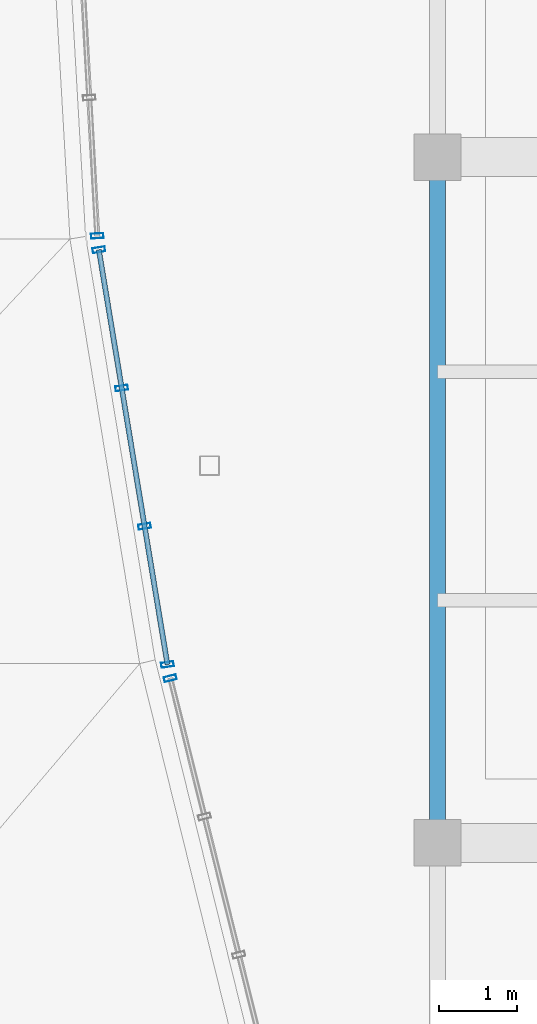
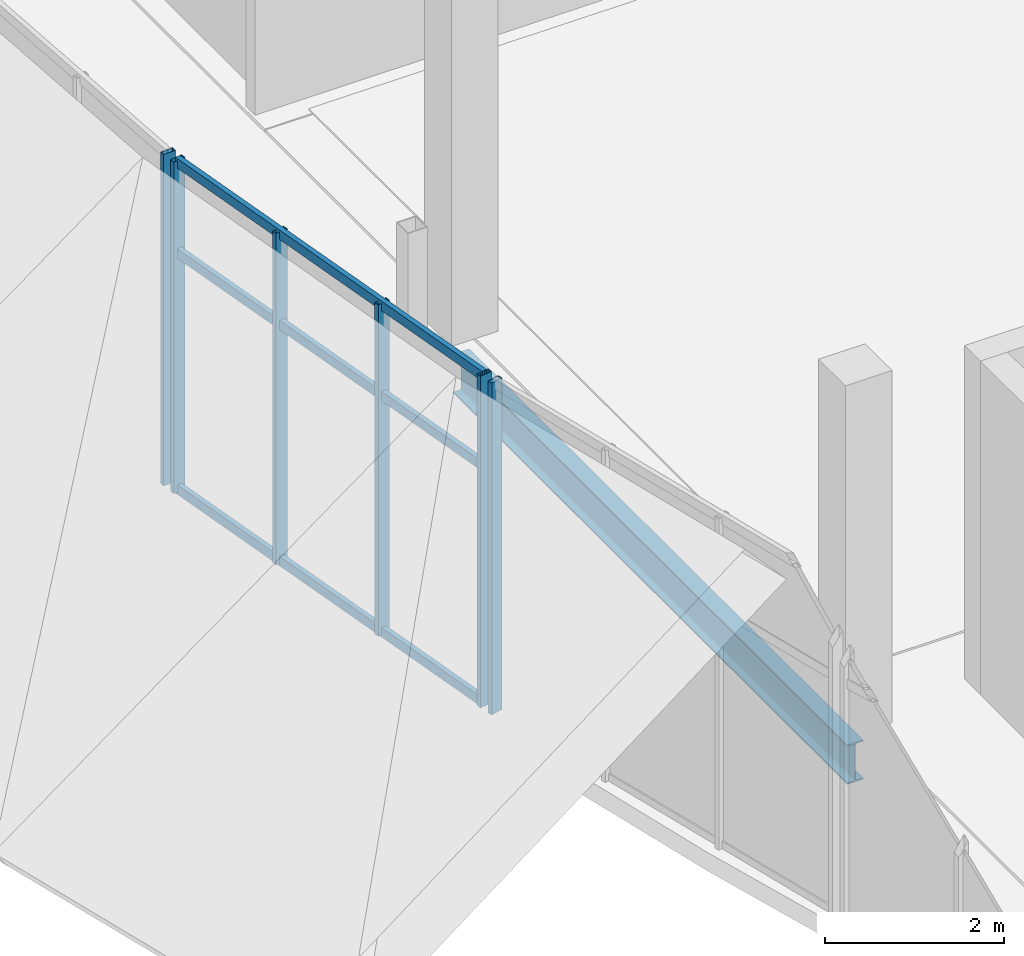
# One storey, part 19 of 116: 9 members, 1 beam, 3 elements without a shape of their own.
"""IFC4 building model written with IfcOpenShell, lengths in metres."""

import ifcopenshell
import ifcopenshell.guid

model = None  # the IFC model being written
_history = None  # IfcOwnerHistory: only IFC2X3 demands one
_inside = {}  # id of a spatial element -> (the spatial element, [elements in it])
_under = {}  # id of a project, library or spatial element -> (it, [spatial elements below it])
_declared = {}  # id of a project -> (the project, [libraries it declares])
_typed = {}  # id of a type object -> (the type object, [elements of that type])
_made_of = {}  # id of a material, layer set ... -> (it, [elements and type objects made of it])


def new_model(schema):
    """Start an empty IFC model of exactly this schema.

    Asked for "IFC4X3", IfcOpenShell would pick the latest addendum, in which some entities
    have other attributes; the version numbers below select the first issue.
    IFC2X3 requires an IfcOwnerHistory on every rooted entity: one is made here for all.
    """
    global model, _history
    if schema == "IFC4X3":
        model = ifcopenshell.file(schema_version=(4, 3, 0, 0))
    else:
        model = ifcopenshell.file(schema=schema)
    _inside.clear()
    _under.clear()
    _declared.clear()
    _typed.clear()
    _made_of.clear()
    _history = None
    if model.schema == "IFC2X3":
        org = make("IfcOrganization", Name="unknown")
        user = make(
            "IfcPersonAndOrganization",
            ThePerson=make("IfcPerson", FamilyName="unknown"),
            TheOrganization=org,
        )
        app = make(
            "IfcApplication",
            ApplicationDeveloper=org,
            Version="unknown",
            ApplicationFullName="unknown",
            ApplicationIdentifier="unknown",
        )
        _history = make(
            "IfcOwnerHistory",
            OwningUser=user,
            OwningApplication=app,
            ChangeAction="ADDED",
            CreationDate=0,
        )
    return model


def make(cls, **values):
    """One entity of the class cls with the attributes given. An attribute that is None is left unset."""
    return model.create_entity(
        cls, **{name: value for name, value in values.items() if value is not None}
    )


def rooted(cls, **values):
    """An entity with a GlobalId (a new one), such as an element, a storey or a relation."""
    return make(cls, GlobalId=ifcopenshell.guid.new(), OwnerHistory=_history, **values)


def si_unit(unit_type, name, prefix=None):
    """IfcSIUnit, for example si_unit("LENGTHUNIT", "METRE", prefix="MILLI")."""
    return make("IfcSIUnit", UnitType=unit_type, Prefix=prefix, Name=name)


def assignment(units):
    """IfcUnitAssignment: the units of a project."""
    return None if units is None else make("IfcUnitAssignment", Units=units)


def point(xyz):
    """IfcCartesianPoint."""
    return None if xyz is None else make("IfcCartesianPoint", Coordinates=xyz)


def direction(xyz):
    """IfcDirection."""
    return None if xyz is None else make("IfcDirection", DirectionRatios=xyz)


def frame(location, z_axis=None, x_axis=None):
    """IfcAxis2Placement3D, a coordinate frame: its origin and axes. An axis left out is left unset."""
    return make(
        "IfcAxis2Placement3D",
        Location=point(location),
        Axis=direction(z_axis),
        RefDirection=direction(x_axis),
    )


def frame_2d(location, x_axis=None):
    """IfcAxis2Placement2D, a coordinate frame in the plane: its origin and x axis."""
    return make(
        "IfcAxis2Placement2D", Location=point(location), RefDirection=direction(x_axis)
    )


def origin():
    """The frame at (0, 0, 0) with its axes left unset."""
    return frame((0.0, 0.0, 0.0))


def origin_2d():
    """The frame at (0, 0) in the plane with its x axis left unset."""
    return frame_2d((0.0, 0.0))


def place(relative_to, where):
    """IfcLocalPlacement: puts the frame where relative to a parent placement (None: the world)."""
    return make(
        "IfcLocalPlacement", PlacementRelTo=relative_to, RelativePlacement=where
    )


def context(
    kind, dimensions, precision=None, world=None, true_north=None, identifier=None
):
    """IfcGeometricRepresentationContext, for example the 3D "Model" context."""
    return make(
        "IfcGeometricRepresentationContext",
        ContextIdentifier=identifier,
        ContextType=kind,
        CoordinateSpaceDimension=dimensions,
        Precision=precision,
        WorldCoordinateSystem=world,
        TrueNorth=true_north,
    )


def subcontext(parent, identifier, kind, view, scale=None):
    """IfcGeometricRepresentationSubContext, for example "Body" below "Model"."""
    return make(
        "IfcGeometricRepresentationSubContext",
        ContextIdentifier=identifier,
        ContextType=kind,
        ParentContext=parent,
        TargetScale=scale,
        TargetView=view,
    )


def project(units=None, contexts=None):
    """IfcProject with its units and contexts."""
    return rooted(
        "IfcProject",
        Name="project",
        RepresentationContexts=contexts,
        UnitsInContext=assignment(units),
    )


def spatial(cls, under=None, at=None, **own):
    """A site, building, storey or space (cls), placed at a placement, below another one or the project."""
    s = rooted(cls, ObjectPlacement=at, **own)
    if under is not None:
        _under.setdefault(under.id(), (under, []))[1].append(s)
    return s


def profile(cls, at=None, kind="AREA", **sizes):
    """A parametric profile (cls). Its sizes go by their IFC names, for example OverallWidth=200.0."""
    return make(cls, ProfileType=kind, Position=at, **sizes)


def hollow_rectangle(**sizes):
    """IfcRectangleHollowProfileDef."""
    return profile("IfcRectangleHollowProfileDef", **sizes)


def i_section(**sizes):
    """IfcIShapeProfileDef."""
    return profile("IfcIShapeProfileDef", **sizes)


def extrude(swept, where, along, depth):
    """IfcExtrudedAreaSolid: the profile swept, set in the frame where, extruded along a direction by depth."""
    return make(
        "IfcExtrudedAreaSolid",
        SweptArea=swept,
        Position=where,
        ExtrudedDirection=direction(along),
        Depth=depth,
    )


def shape(context_of_items, identifier, shape_type, items):
    """IfcShapeRepresentation: the items that make up one representation, for example the "Body"."""
    return make(
        "IfcShapeRepresentation",
        ContextOfItems=context_of_items,
        RepresentationIdentifier=identifier,
        RepresentationType=shape_type,
        Items=items,
    )


def material(Name=None, Category=None):
    """IfcMaterial."""
    return make("IfcMaterial", Name=Name, Category=Category)


def layer(
    of_material, thickness, ventilated=None, Name=None, Category=None, Priority=None
):
    """IfcMaterialLayer: one layer of a wall or slab, of a material (None: an air gap)."""
    return make(
        "IfcMaterialLayer",
        Material=of_material,
        LayerThickness=thickness,
        IsVentilated=ventilated,
        Name=Name,
        Category=Category,
        Priority=Priority,
    )


def layer_set(layers, Name=None):
    """IfcMaterialLayerSet."""
    return make("IfcMaterialLayerSet", MaterialLayers=layers, LayerSetName=Name)


def material_profile(
    of_material, cross_section, Name=None, Category=None, Priority=None
):
    """IfcMaterialProfile: a cross section and its material."""
    return make(
        "IfcMaterialProfile",
        Name=Name,
        Material=of_material,
        Profile=cross_section,
        Priority=Priority,
        Category=Category,
    )


def profile_set(profiles, Name=None, composite=None):
    """IfcMaterialProfileSet."""
    return make(
        "IfcMaterialProfileSet",
        Name=Name,
        MaterialProfiles=profiles,
        CompositeProfile=composite,
    )


def made_of(thing, what):
    """Note that an element or type object is made of a material, layer set ...; save() writes the relation."""
    if what is not None:
        _made_of.setdefault(what.id(), (what, []))[1].append(thing)
    return thing


def type_object(cls, material=None, **own):
    """A type object (cls), such as IfcWallType, which elements share."""
    return made_of(rooted(cls, **own), material)


def element(
    cls,
    number,
    at=None,
    inside=None,
    cuts=None,
    type_object=None,
    material=None,
    context=None,
    identifier="Body",
    shape_type=None,
    held_by="IfcProductDefinitionShape",
    body=None,
    shapes=None,
    **own,
):
    """One element of the class cls, such as IfcWall. Its Tag is "e" and its number.

    at: its placement. inside: the storey or other place that contains it. cuts: it is an
    opening in that element (IfcRelVoidsElement). A single representation is given by context,
    identifier, shape_type and body (its items); several are given by shapes. held_by: the class
    of the entity that holds the representations. save() writes the other relations.
    """
    e = rooted(cls, Tag="e%d" % number, ObjectPlacement=at, **own)
    if body is not None:
        shapes = [shape(context, identifier, shape_type, body)]
    if shapes is not None:
        e.Representation = make(held_by, Representations=shapes)
    if inside is not None:
        _inside.setdefault(inside.id(), (inside, []))[1].append(e)
    if cuts is not None:
        rooted(
            "IfcRelVoidsElement", RelatingBuildingElement=cuts, RelatedOpeningElement=e
        )
    if type_object is not None:
        _typed.setdefault(type_object.id(), (type_object, []))[1].append(e)
    return made_of(e, material)


def aggregate(whole, parts):
    """IfcRelAggregates: a whole, such as a stair, and the parts it consists of."""
    return rooted("IfcRelAggregates", RelatingObject=whole, RelatedObjects=parts)


def save(model, path):
    """Write the relations noted so far, then the file.

    IfcRelAggregates (storeys below a building ...), IfcRelContainedInSpatialStructure (elements
    in a storey), IfcRelDefinesByType, IfcRelAssociatesMaterial and IfcRelDeclares: one each for
    every whole, place, type object, material and project.
    """
    for whole, parts in _under.values():
        aggregate(whole, parts)
    for where, things in _inside.values():
        rooted(
            "IfcRelContainedInSpatialStructure",
            RelatedElements=things,
            RelatingStructure=where,
        )
    for kind, things in _typed.values():
        rooted("IfcRelDefinesByType", RelatedObjects=things, RelatingType=kind)
    for what, things in _made_of.values():
        rooted("IfcRelAssociatesMaterial", RelatedObjects=things, RelatingMaterial=what)
    for by, libraries in _declared.values():
        rooted("IfcRelDeclares", RelatingContext=by, RelatedDefinitions=libraries)
    model.write(path)


model = new_model("IFC4")

# Units and contexts
model_context = context("Model", 3, precision=1e-05, world=origin(), true_north=direction((0.0, 1.0)))
body_context = subcontext(model_context, "Body", "Model", "MODEL_VIEW")
ifc_project = project(units=[si_unit("LENGTHUNIT", "METRE"), si_unit("AREAUNIT", "SQUARE_METRE"), si_unit("VOLUMEUNIT", "CUBIC_METRE"), si_unit("PLANEANGLEUNIT", "RADIAN"), si_unit("MASSUNIT", "GRAM", prefix="KILO")], contexts=[model_context])

# Site, building, storey
site_placement = place(None, origin())
site = spatial("IfcSite", under=ifc_project, at=site_placement, CompositionType="ELEMENT")
building_placement = place(site_placement, origin())
building = spatial("IfcBuilding", under=site, at=building_placement, Name="Chalmorin Arch Market", CompositionType="ELEMENT")
storey_placement = place(building_placement, origin())
storey = spatial("IfcBuildingStorey", under=building, at=storey_placement, Name="L00", CompositionType="ELEMENT", Elevation=0.0)

# Curtain wall, member
ifc_material_1 = material(Name="Aluminium 6063-T6", Category="aluminium")
ifc_layer_1 = layer(ifc_material_1, 0.159912109375)
ifc_layer_set_1 = layer_set([ifc_layer_1], Name="Aluminium 6063-T6")
curtain_wall_type_1 = type_object("IfcCurtainWallType", Name="RiverfrontStorefrontCurtainWall-CW2-5490x4520", PredefinedType="NOTDEFINED", material=ifc_layer_set_1)
curtain_wall_1_placement = place(storey_placement, origin())
curtain_wall_1 = element("IfcCurtainWall", 1, at=curtain_wall_1_placement, inside=storey, type_object=curtain_wall_type_1, Name="CW-02-048", PredefinedType="NOTDEFINED")
ifc_material_profile_1 = material_profile(ifc_material_1, hollow_rectangle(XDim=0.06494140625, YDim=0.159912109375, WallThickness=0.00390625, at=origin_2d()), Name="ALU65X160X4")
ifc_profile_set_1 = profile_set([ifc_material_profile_1], Name="Aluminium 6063-T6")
member_type_1 = type_object("IfcMemberType", Name="CurtainWallMullion-65x160", PredefinedType="MULLION", material=ifc_profile_set_1)
member_1_placement = place(storey_placement, frame((-3.428466796875, 16.91259765625, 0.0), z_axis=(0.0, 0.0, 1.0), x_axis=(-0.2419218956, 0.970295726276, 0.0)))
member_1 = element("IfcMember", 2, at=member_1_placement, type_object=member_type_1, Name="ML-048-04", PredefinedType="MULLION", context=body_context, shape_type="SweptSolid", body=[
    extrude(hollow_rectangle(XDim=0.06494140625, YDim=0.159912109375, WallThickness=0.00390625, at=origin_2d()), origin(), (0.0, 0.0, 1.0), 4.52001953125),
])
aggregate(curtain_wall_1, [member_1])

# Curtain wall, members
ifc_layer_2 = layer(ifc_material_1, 0.159912109375)
ifc_layer_set_2 = layer_set([ifc_layer_2], Name="Aluminium 6063-T6")
curtain_wall_type_2 = type_object("IfcCurtainWallType", Name="RiverfrontStorefrontCurtainWall-CW2-5390x4520", PredefinedType="NOTDEFINED", material=ifc_layer_set_2)
curtain_wall_2_placement = place(storey_placement, origin())
curtain_wall_2 = element("IfcCurtainWall", 3, at=curtain_wall_2_placement, inside=storey, type_object=curtain_wall_type_2, Name="CW-02-051", PredefinedType="NOTDEFINED")
member_2_placement = place(storey_placement, frame((-3.464599609375, 17.0888671875, 0.0), z_axis=(0.0, 0.0, 1.0), x_axis=(-0.15643446504, 0.987688340595, 0.0)))
member_2 = element("IfcMember", 4, at=member_2_placement, type_object=member_type_1, Name="ML-051-01", PredefinedType="MULLION", context=body_context, shape_type="SweptSolid", body=[
    extrude(hollow_rectangle(XDim=0.06494140625, YDim=0.159912109375, WallThickness=0.00390625, at=origin_2d()), origin(), (0.0, 0.0, 1.0), 4.52001953125),
])
member_3_placement = place(storey_placement, frame((-3.75830078125, 18.86279296875, 0.0), z_axis=(0.0, 0.0, 1.0), x_axis=(-0.15643446504, 0.987688340595, 0.0)))
member_3 = element("IfcMember", 5, at=member_3_placement, type_object=member_type_1, Name="ML-051-02", PredefinedType="MULLION", context=body_context, shape_type="SweptSolid", body=[
    extrude(hollow_rectangle(XDim=0.06494140625, YDim=0.159912109375, WallThickness=0.00390625, at=origin_2d()), origin(), (0.0, 0.0, 1.0), 4.52001953125),
])
member_4_placement = place(storey_placement, frame((-4.0517578125, 20.63720703125, 0.0), z_axis=(0.0, 0.0, 1.0), x_axis=(-0.15643446504, 0.987688340595, 0.0)))
member_4 = element("IfcMember", 6, at=member_4_placement, type_object=member_type_1, Name="ML-051-03", PredefinedType="MULLION", context=body_context, shape_type="SweptSolid", body=[
    extrude(hollow_rectangle(XDim=0.06494140625, YDim=0.159912109375, WallThickness=0.00390625, at=origin_2d()), origin(), (0.0, 0.0, 1.0), 4.52001953125),
])
member_5_placement = place(storey_placement, frame((-4.34521484375, 22.4111328125, 0.0), z_axis=(0.0, 0.0, 1.0), x_axis=(-0.15643446504, 0.987688340595, 0.0)))
member_5 = element("IfcMember", 7, at=member_5_placement, type_object=member_type_1, Name="ML-051-04", PredefinedType="MULLION", context=body_context, shape_type="SweptSolid", body=[
    extrude(hollow_rectangle(XDim=0.06494140625, YDim=0.159912109375, WallThickness=0.00390625, at=origin_2d()), origin(), (0.0, 0.0, 1.0), 4.52001953125),
])

# Curtain wall, member
ifc_layer_3 = layer(ifc_material_1, 0.159912109375)
ifc_layer_set_3 = layer_set([ifc_layer_3], Name="Aluminium 6063-T6")
curtain_wall_type_3 = type_object("IfcCurtainWallType", Name="RiverfrontStorefrontCurtainWall-CW2-5330x4520", PredefinedType="NOTDEFINED", material=ifc_layer_set_3)
curtain_wall_3_placement = place(storey_placement, origin())
curtain_wall_3 = element("IfcCurtainWall", 8, at=curtain_wall_3_placement, inside=storey, type_object=curtain_wall_type_3, Name="CW-02-054", PredefinedType="NOTDEFINED")
member_6_placement = place(storey_placement, frame((-4.365234375, 22.58984375, 0.0), z_axis=(0.0, 0.0, 1.0), x_axis=(-0.052335956243, 0.998629534755, 0.0)))
member_6 = element("IfcMember", 9, at=member_6_placement, type_object=member_type_1, Name="ML-054-01", PredefinedType="MULLION", context=body_context, shape_type="SweptSolid", body=[
    extrude(hollow_rectangle(XDim=0.06494140625, YDim=0.159912109375, WallThickness=0.00390625, at=origin_2d()), origin(), (0.0, 0.0, 1.0), 4.52001953125),
])
aggregate(curtain_wall_3, [member_6])

# Member
ifc_material_profile_2 = material_profile(ifc_material_1, hollow_rectangle(XDim=0.06494140625, YDim=0.1298828125, WallThickness=0.00390625, at=origin_2d()), Name="ALU65X130X4")
ifc_profile_set_2 = profile_set([ifc_material_profile_2], Name="Aluminium 6063-T6")
member_type_2 = type_object("IfcMemberType", Name="CurtainWallTransom-65x130", PredefinedType="USERDEFINED", material=ifc_profile_set_2)
member_7_placement = place(storey_placement, frame((-3.464599609375, 17.0888671875, 0.034912109375), z_axis=(-0.16323933491, 0.986586498761, 0.0), x_axis=(-0.986586498761, -0.16323933491, 0.0)))
member_7 = element("IfcMember", 10, at=member_7_placement, type_object=member_type_2, Name="TR-051-01", ObjectType="TRANSOM", PredefinedType="USERDEFINED", context=body_context, shape_type="SweptSolid", body=[
    extrude(hollow_rectangle(XDim=0.06494140625, YDim=0.1298828125, WallThickness=0.00390625, at=origin_2d()), origin(), (0.0, 0.0, 1.0), 5.39453125),
])

member_8_placement = place(storey_placement, frame((-3.464599609375, 17.0888671875, 3.25439453125), z_axis=(-0.16323933491, 0.986586498761, 0.0), x_axis=(-0.986586498761, -0.16323933491, 0.0)))
member_8 = element("IfcMember", 11, at=member_8_placement, type_object=member_type_2, Name="TR-051-02", ObjectType="TRANSOM", PredefinedType="USERDEFINED", context=body_context, shape_type="SweptSolid", body=[
    extrude(hollow_rectangle(XDim=0.06494140625, YDim=0.1298828125, WallThickness=0.00390625, at=origin_2d()), origin(), (0.0, 0.0, 1.0), 5.39453125),
])

member_9_placement = place(storey_placement, frame((-3.464599609375, 17.0888671875, 4.485107421875), z_axis=(-0.16323933491, 0.986586498761, 0.0), x_axis=(-0.986586498761, -0.16323933491, 0.0)))
member_9 = element("IfcMember", 12, at=member_9_placement, type_object=member_type_2, Name="TR-051-03", ObjectType="TRANSOM", PredefinedType="USERDEFINED", context=body_context, shape_type="SweptSolid", body=[
    extrude(hollow_rectangle(XDim=0.06494140625, YDim=0.1298828125, WallThickness=0.00390625, at=origin_2d()), origin(), (0.0, 0.0, 1.0), 5.39453125),
])

aggregate(curtain_wall_2, [member_2, member_3, member_4, member_5, member_7, member_8, member_9])

# Beam
ifc_material_2 = material(Name="Steel A992 Grade 50", Category="steel")
ifc_material_profile_3 = material_profile(ifc_material_2, i_section(OverallWidth=0.208984375, OverallDepth=0.532958984375, WebThickness=0.01025390625, FlangeThickness=0.015625, FilletRadius=0.02197265625, at=origin_2d()), Name="W21X62")
ifc_profile_set_3 = profile_set([ifc_material_profile_3], Name="Steel A992 Grade 50")
beam_type = type_object("IfcBeamType", Name="PerimeterSpandrelBeam-W21X62", PredefinedType="SPANDREL", material=ifc_profile_set_3)
beam_placement = place(storey_placement, frame((0.0, 14.800048828125, -0.618408203125), z_axis=(0.0, 1.0, 0.0), x_axis=(-1.0, 0.0, 0.0)))
element("IfcBeam", 13, at=beam_placement, inside=storey, type_object=beam_type, Name="SP-W21-0206", PredefinedType="SPANDREL", context=body_context, shape_type="SweptSolid", body=[
    extrude(i_section(OverallWidth=0.208984375, OverallDepth=0.532958984375, WebThickness=0.01025390625, FlangeThickness=0.015625, FilletRadius=0.02197265625, at=origin_2d()), origin(), (0.0, 0.0, 1.0), 8.800048828125),
])

save(model, "model.ifc")
